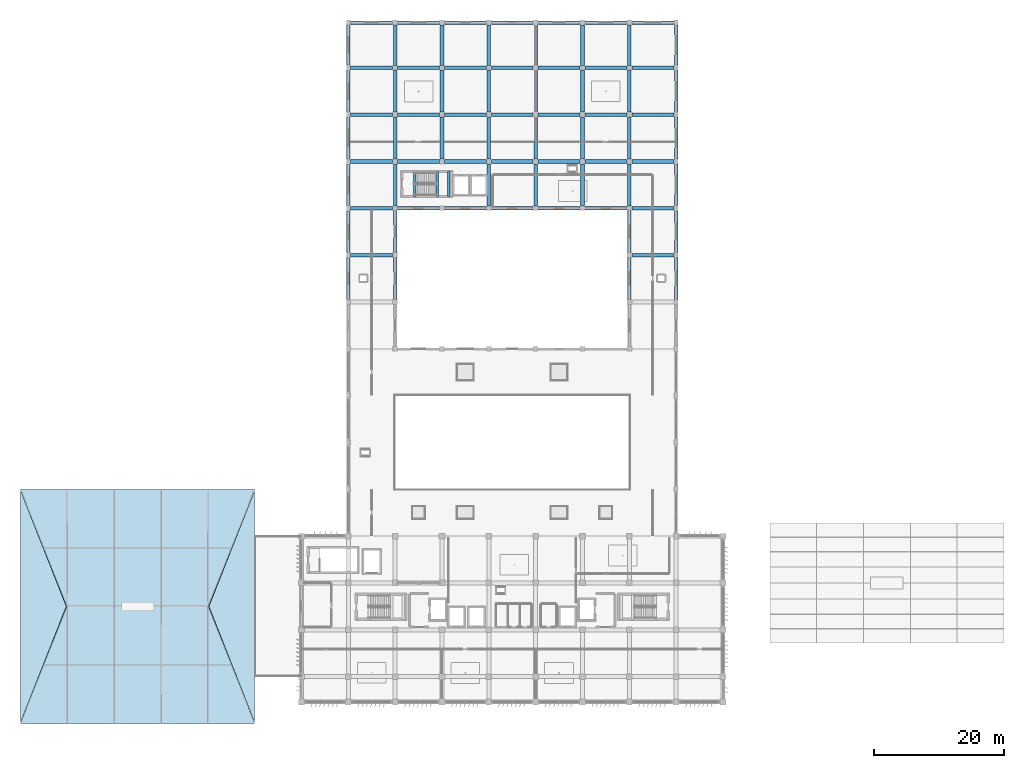
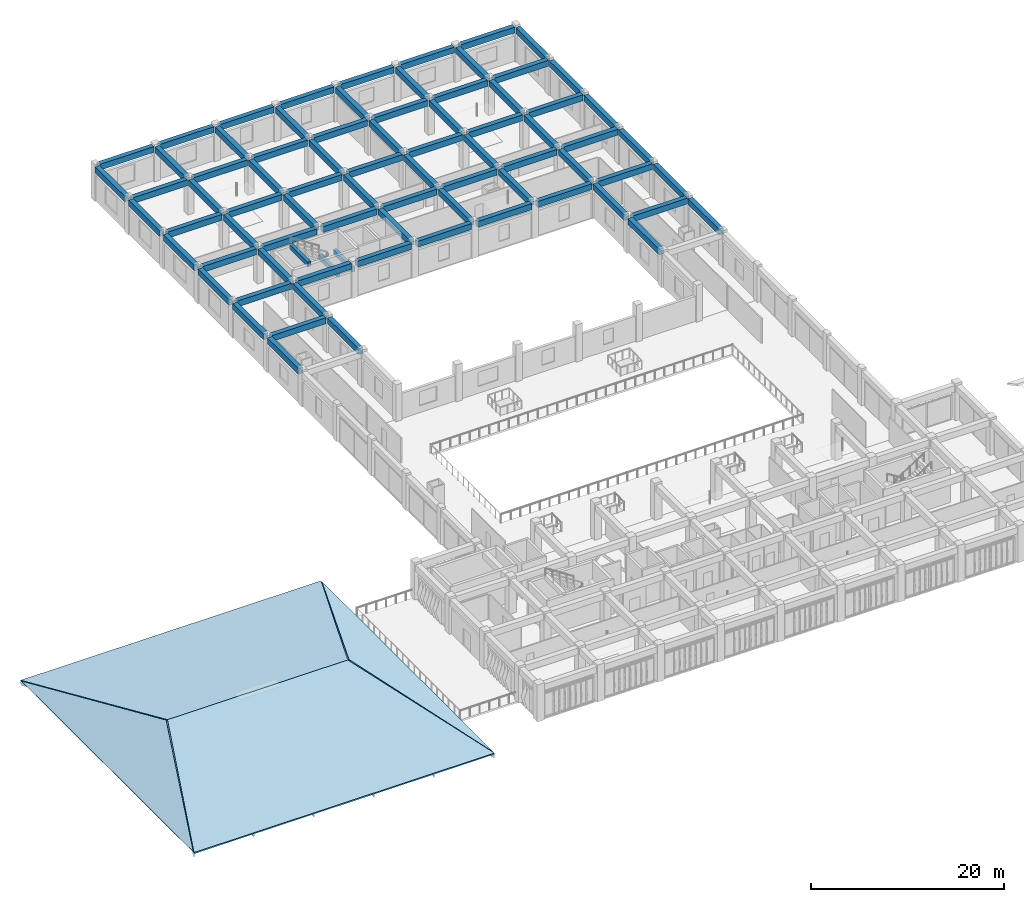
# One storey, part 25 of 55: 79 beams, 4 slabs.
"""IFC4 building model written with IfcOpenShell, lengths in metres."""

import ifcopenshell
import ifcopenshell.guid

model = None  # the IFC model being written
_history = None  # IfcOwnerHistory: only IFC2X3 demands one
_inside = {}  # id of a spatial element -> (the spatial element, [elements in it])
_under = {}  # id of a project, library or spatial element -> (it, [spatial elements below it])
_declared = {}  # id of a project -> (the project, [libraries it declares])
_typed = {}  # id of a type object -> (the type object, [elements of that type])
_made_of = {}  # id of a material, layer set ... -> (it, [elements and type objects made of it])


def new_model(schema):
    """Start an empty IFC model of exactly this schema.

    Asked for "IFC4X3", IfcOpenShell would pick the latest addendum, in which some entities
    have other attributes; the version numbers below select the first issue.
    IFC2X3 requires an IfcOwnerHistory on every rooted entity: one is made here for all.
    """
    global model, _history
    if schema == "IFC4X3":
        model = ifcopenshell.file(schema_version=(4, 3, 0, 0))
    else:
        model = ifcopenshell.file(schema=schema)
    _inside.clear()
    _under.clear()
    _declared.clear()
    _typed.clear()
    _made_of.clear()
    _history = None
    if model.schema == "IFC2X3":
        org = make("IfcOrganization", Name="unknown")
        user = make(
            "IfcPersonAndOrganization",
            ThePerson=make("IfcPerson", FamilyName="unknown"),
            TheOrganization=org,
        )
        app = make(
            "IfcApplication",
            ApplicationDeveloper=org,
            Version="unknown",
            ApplicationFullName="unknown",
            ApplicationIdentifier="unknown",
        )
        _history = make(
            "IfcOwnerHistory",
            OwningUser=user,
            OwningApplication=app,
            ChangeAction="ADDED",
            CreationDate=0,
        )
    return model


def make(cls, **values):
    """One entity of the class cls with the attributes given. An attribute that is None is left unset."""
    return model.create_entity(
        cls, **{name: value for name, value in values.items() if value is not None}
    )


def rooted(cls, **values):
    """An entity with a GlobalId (a new one), such as an element, a storey or a relation."""
    return make(cls, GlobalId=ifcopenshell.guid.new(), OwnerHistory=_history, **values)


def si_unit(unit_type, name, prefix=None):
    """IfcSIUnit, for example si_unit("LENGTHUNIT", "METRE", prefix="MILLI")."""
    return make("IfcSIUnit", UnitType=unit_type, Prefix=prefix, Name=name)


def assignment(units):
    """IfcUnitAssignment: the units of a project."""
    return None if units is None else make("IfcUnitAssignment", Units=units)


def point(xyz):
    """IfcCartesianPoint."""
    return None if xyz is None else make("IfcCartesianPoint", Coordinates=xyz)


def direction(xyz):
    """IfcDirection."""
    return None if xyz is None else make("IfcDirection", DirectionRatios=xyz)


def frame(location, z_axis=None, x_axis=None):
    """IfcAxis2Placement3D, a coordinate frame: its origin and axes. An axis left out is left unset."""
    return make(
        "IfcAxis2Placement3D",
        Location=point(location),
        Axis=direction(z_axis),
        RefDirection=direction(x_axis),
    )


def frame_2d(location, x_axis=None):
    """IfcAxis2Placement2D, a coordinate frame in the plane: its origin and x axis."""
    return make(
        "IfcAxis2Placement2D", Location=point(location), RefDirection=direction(x_axis)
    )


def origin():
    """The frame at (0, 0, 0) with its axes left unset."""
    return frame((0.0, 0.0, 0.0))


def origin_2d():
    """The frame at (0, 0) in the plane with its x axis left unset."""
    return frame_2d((0.0, 0.0))


def place(relative_to, where):
    """IfcLocalPlacement: puts the frame where relative to a parent placement (None: the world)."""
    return make(
        "IfcLocalPlacement", PlacementRelTo=relative_to, RelativePlacement=where
    )


def context(
    kind, dimensions, precision=None, world=None, true_north=None, identifier=None
):
    """IfcGeometricRepresentationContext, for example the 3D "Model" context."""
    return make(
        "IfcGeometricRepresentationContext",
        ContextIdentifier=identifier,
        ContextType=kind,
        CoordinateSpaceDimension=dimensions,
        Precision=precision,
        WorldCoordinateSystem=world,
        TrueNorth=true_north,
    )


def subcontext(parent, identifier, kind, view, scale=None):
    """IfcGeometricRepresentationSubContext, for example "Body" below "Model"."""
    return make(
        "IfcGeometricRepresentationSubContext",
        ContextIdentifier=identifier,
        ContextType=kind,
        ParentContext=parent,
        TargetScale=scale,
        TargetView=view,
    )


def project(units=None, contexts=None):
    """IfcProject with its units and contexts."""
    return rooted(
        "IfcProject",
        Name="project",
        RepresentationContexts=contexts,
        UnitsInContext=assignment(units),
    )


def spatial(cls, under=None, at=None, **own):
    """A site, building, storey or space (cls), placed at a placement, below another one or the project."""
    s = rooted(cls, ObjectPlacement=at, **own)
    if under is not None:
        _under.setdefault(under.id(), (under, []))[1].append(s)
    return s


def polyline(points):
    """IfcPolyline through the points."""
    return make("IfcPolyline", Points=[point(p) for p in points])


def profile(cls, at=None, kind="AREA", **sizes):
    """A parametric profile (cls). Its sizes go by their IFC names, for example OverallWidth=200.0."""
    return make(cls, ProfileType=kind, Position=at, **sizes)


def rectangle(**sizes):
    """IfcRectangleProfileDef."""
    return profile("IfcRectangleProfileDef", **sizes)


def outline(outer, holes=None, kind="AREA"):
    """IfcArbitraryClosedProfileDef: a profile drawn as a closed curve; with holes, ...WithVoids."""
    if holes is None:
        return make("IfcArbitraryClosedProfileDef", ProfileType=kind, OuterCurve=outer)
    return make(
        "IfcArbitraryProfileDefWithVoids",
        ProfileType=kind,
        OuterCurve=outer,
        InnerCurves=holes,
    )


def extrude(swept, where, along, depth):
    """IfcExtrudedAreaSolid: the profile swept, set in the frame where, extruded along a direction by depth."""
    return make(
        "IfcExtrudedAreaSolid",
        SweptArea=swept,
        Position=where,
        ExtrudedDirection=direction(along),
        Depth=depth,
    )


def shape(context_of_items, identifier, shape_type, items):
    """IfcShapeRepresentation: the items that make up one representation, for example the "Body"."""
    return make(
        "IfcShapeRepresentation",
        ContextOfItems=context_of_items,
        RepresentationIdentifier=identifier,
        RepresentationType=shape_type,
        Items=items,
    )


def material(Name=None, Category=None):
    """IfcMaterial."""
    return make("IfcMaterial", Name=Name, Category=Category)


def layer(
    of_material, thickness, ventilated=None, Name=None, Category=None, Priority=None
):
    """IfcMaterialLayer: one layer of a wall or slab, of a material (None: an air gap)."""
    return make(
        "IfcMaterialLayer",
        Material=of_material,
        LayerThickness=thickness,
        IsVentilated=ventilated,
        Name=Name,
        Category=Category,
        Priority=Priority,
    )


def layer_set(layers, Name=None):
    """IfcMaterialLayerSet."""
    return make("IfcMaterialLayerSet", MaterialLayers=layers, LayerSetName=Name)


def material_profile(
    of_material, cross_section, Name=None, Category=None, Priority=None
):
    """IfcMaterialProfile: a cross section and its material."""
    return make(
        "IfcMaterialProfile",
        Name=Name,
        Material=of_material,
        Profile=cross_section,
        Priority=Priority,
        Category=Category,
    )


def profile_set(profiles, Name=None, composite=None):
    """IfcMaterialProfileSet."""
    return make(
        "IfcMaterialProfileSet",
        Name=Name,
        MaterialProfiles=profiles,
        CompositeProfile=composite,
    )


def made_of(thing, what):
    """Note that an element or type object is made of a material, layer set ...; save() writes the relation."""
    if what is not None:
        _made_of.setdefault(what.id(), (what, []))[1].append(thing)
    return thing


def type_object(cls, material=None, **own):
    """A type object (cls), such as IfcWallType, which elements share."""
    return made_of(rooted(cls, **own), material)


def element(
    cls,
    number,
    at=None,
    inside=None,
    cuts=None,
    type_object=None,
    material=None,
    context=None,
    identifier="Body",
    shape_type=None,
    held_by="IfcProductDefinitionShape",
    body=None,
    shapes=None,
    **own,
):
    """One element of the class cls, such as IfcWall. Its Tag is "e" and its number.

    at: its placement. inside: the storey or other place that contains it. cuts: it is an
    opening in that element (IfcRelVoidsElement). A single representation is given by context,
    identifier, shape_type and body (its items); several are given by shapes. held_by: the class
    of the entity that holds the representations. save() writes the other relations.
    """
    e = rooted(cls, Tag="e%d" % number, ObjectPlacement=at, **own)
    if body is not None:
        shapes = [shape(context, identifier, shape_type, body)]
    if shapes is not None:
        e.Representation = make(held_by, Representations=shapes)
    if inside is not None:
        _inside.setdefault(inside.id(), (inside, []))[1].append(e)
    if cuts is not None:
        rooted(
            "IfcRelVoidsElement", RelatingBuildingElement=cuts, RelatedOpeningElement=e
        )
    if type_object is not None:
        _typed.setdefault(type_object.id(), (type_object, []))[1].append(e)
    return made_of(e, material)


def aggregate(whole, parts):
    """IfcRelAggregates: a whole, such as a stair, and the parts it consists of."""
    return rooted("IfcRelAggregates", RelatingObject=whole, RelatedObjects=parts)


def save(model, path):
    """Write the relations noted so far, then the file.

    IfcRelAggregates (storeys below a building ...), IfcRelContainedInSpatialStructure (elements
    in a storey), IfcRelDefinesByType, IfcRelAssociatesMaterial and IfcRelDeclares: one each for
    every whole, place, type object, material and project.
    """
    for whole, parts in _under.values():
        aggregate(whole, parts)
    for where, things in _inside.values():
        rooted(
            "IfcRelContainedInSpatialStructure",
            RelatedElements=things,
            RelatingStructure=where,
        )
    for kind, things in _typed.values():
        rooted("IfcRelDefinesByType", RelatedObjects=things, RelatingType=kind)
    for what, things in _made_of.values():
        rooted("IfcRelAssociatesMaterial", RelatedObjects=things, RelatingMaterial=what)
    for by, libraries in _declared.values():
        rooted("IfcRelDeclares", RelatingContext=by, RelatedDefinitions=libraries)
    model.write(path)


model = new_model("IFC4")

# Units and contexts
model_context = context("Model", 3, precision=1e-05, world=origin(), true_north=direction((0.0, 1.0)))
body_context = subcontext(model_context, "Body", "Model", "MODEL_VIEW")
ifc_project = project(units=[si_unit("LENGTHUNIT", "METRE"), si_unit("AREAUNIT", "SQUARE_METRE"), si_unit("VOLUMEUNIT", "CUBIC_METRE"), si_unit("PLANEANGLEUNIT", "RADIAN"), si_unit("MASSUNIT", "GRAM", prefix="KILO")], contexts=[model_context])

# Site, building, storey
site_placement = place(None, origin())
site = spatial("IfcSite", under=ifc_project, at=site_placement, CompositionType="ELEMENT")
building_placement = place(site_placement, origin())
building = spatial("IfcBuilding", under=site, at=building_placement, Name="Kazehaya Institute of Natural Sciences", CompositionType="ELEMENT")
storey_placement = place(building_placement, frame((0.0, 0.0, 15.1201171875)))
storey = spatial("IfcBuildingStorey", under=building, at=storey_placement, Name="L03", CompositionType="ELEMENT", Elevation=15.1201171875)

# Beams
ifc_material = material(Name="Concrete Fc36", Category="concrete")
ifc_material_profile_1 = material_profile(ifc_material, rectangle(XDim=0.39990234375, YDim=0.60009765625, at=origin_2d()), Name="RC-400x600")
ifc_profile_set_1 = profile_set([ifc_material_profile_1], Name="Concrete Fc36")
beam_type_1 = type_object("IfcBeamType", Name="BM-B-400x600", PredefinedType="BEAM", material=ifc_profile_set_1)
for number, where, z_axis, x_axis, name in (
    (1, (72.0, 87.820068359375, 4.3798828125), (0.0, 1.0, 0.0), (-1.0, 0.0, 0.0), "L04 ST-3 stair header trimmer beam"),
    (2, (75.469970703125, 87.820068359375, 1.8798828125), (0.0, 1.0, 0.0), (-1.0, 0.0, 0.0), "L03 ST-3 landing beam 1"),
    (3, (77.25, 87.820068359375, 1.8798828125), (0.0, 1.0, 0.0), (-1.0, 0.0, 0.0), "L03 ST-3 landing beam 2"),
):
    element("IfcBeam", number, at=place(storey_placement, frame(where, z_axis=z_axis, x_axis=x_axis)), inside=storey, type_object=beam_type_1, Name=name, PredefinedType="BEAM", context=body_context, shape_type="SweptSolid", body=[
        extrude(rectangle(XDim=0.39990234375, YDim=0.60009765625, at=origin_2d()), origin(), (0.0, 0.0, 1.0), 3.83984375),
    ])
ifc_material_profile_2 = material_profile(ifc_material, rectangle(XDim=0.550048828125, YDim=0.75, at=origin_2d()), Name="RC-550x750")
ifc_profile_set_2 = profile_set([ifc_material_profile_2], Name="Concrete Fc36")
beam_type_2 = type_object("IfcBeamType", Name="BM-G-550x750", PredefinedType="BEAM", material=ifc_profile_set_2)
for number, where, z_axis, x_axis, name in (
    (4, (62.10009765625, 78.800048828125, 4.034912109375), (1.0, 0.0, 0.0), (0.0, 1.0, 0.0), "L03 primary X girder BMX-L03-618-788"),
    (5, (105.375, 78.800048828125, 4.034912109375), (1.0, 0.0, 0.0), (0.0, 1.0, 0.0), "L03 primary X girder BMX-L03-1050-788"),
    (6, (62.10009765625, 86.0, 4.034912109375), (1.0, 0.0, 0.0), (0.0, 1.0, 0.0), "L03 primary X girder BMX-L03-618-860"),
):
    element("IfcBeam", number, at=place(storey_placement, frame(where, z_axis=z_axis, x_axis=x_axis)), inside=storey, type_object=beam_type_2, Name=name, PredefinedType="BEAM", context=body_context, shape_type="SweptSolid", body=[
        extrude(rectangle(XDim=0.550048828125, YDim=0.75, at=origin_2d()), origin(), (0.0, 0.0, 1.0), 6.52490234375),
    ])
for number, where, z_axis, x_axis, name in (
    (7, (69.375, 86.0, 4.034912109375), (1.0, 0.0, 0.0), (0.0, 1.0, 0.0), "L03 primary X girder BMX-L03-690-860"),
    (8, (76.574951171875, 86.0, 4.034912109375), (1.0, 0.0, 0.0), (0.0, 1.0, 0.0), "L03 primary X girder BMX-L03-762-860"),
):
    element("IfcBeam", number, at=place(storey_placement, frame(where, z_axis=z_axis, x_axis=x_axis)), inside=storey, type_object=beam_type_2, Name=name, PredefinedType="BEAM", context=body_context, shape_type="SweptSolid", body=[
        extrude(rectangle(XDim=0.550048828125, YDim=0.75, at=origin_2d()), origin(), (0.0, 0.0, 1.0), 6.449951171875),
    ])
beam_1_placement = place(storey_placement, frame((83.77490234375, 86.0, 4.034912109375), z_axis=(1.0, 0.0, 0.0), x_axis=(0.0, 1.0, 0.0)))
element("IfcBeam", 9, at=beam_1_placement, inside=storey, type_object=beam_type_2, Name="L03 primary X girder BMX-L03-834-860", PredefinedType="BEAM", context=body_context, shape_type="SweptSolid", body=[
    extrude(rectangle(XDim=0.550048828125, YDim=0.75, at=origin_2d()), origin(), (0.0, 0.0, 1.0), 6.4501953125),
])
for number, where, z_axis, x_axis, name in (
    (10, (90.97509765625, 86.0, 4.034912109375), (1.0, 0.0, 0.0), (0.0, 1.0, 0.0), "L03 primary X girder BMX-L03-906-860"),
    (11, (98.175048828125, 86.0, 4.034912109375), (1.0, 0.0, 0.0), (0.0, 1.0, 0.0), "L03 primary X girder BMX-L03-978-860"),
):
    element("IfcBeam", number, at=place(storey_placement, frame(where, z_axis=z_axis, x_axis=x_axis)), inside=storey, type_object=beam_type_2, Name=name, PredefinedType="BEAM", context=body_context, shape_type="SweptSolid", body=[
        extrude(rectangle(XDim=0.550048828125, YDim=0.75, at=origin_2d()), origin(), (0.0, 0.0, 1.0), 6.449951171875),
    ])
for number, where, z_axis, x_axis, name in (
    (12, (105.375, 86.0, 4.034912109375), (1.0, 0.0, 0.0), (0.0, 1.0, 0.0), "L03 primary X girder BMX-L03-1050-860"),
    (13, (62.10009765625, 93.199951171875, 4.034912109375), (1.0, 0.0, 0.0), (0.0, 1.0, 0.0), "L03 primary X girder BMX-L03-618-932"),
):
    element("IfcBeam", number, at=place(storey_placement, frame(where, z_axis=z_axis, x_axis=x_axis)), inside=storey, type_object=beam_type_2, Name=name, PredefinedType="BEAM", context=body_context, shape_type="SweptSolid", body=[
        extrude(rectangle(XDim=0.550048828125, YDim=0.75, at=origin_2d()), origin(), (0.0, 0.0, 1.0), 6.52490234375),
    ])
for number, where, z_axis, x_axis, name in (
    (14, (69.375, 93.199951171875, 4.034912109375), (1.0, 0.0, 0.0), (0.0, 1.0, 0.0), "L03 primary X girder BMX-L03-690-932"),
    (15, (76.574951171875, 93.199951171875, 4.034912109375), (1.0, 0.0, 0.0), (0.0, 1.0, 0.0), "L03 primary X girder BMX-L03-762-932"),
):
    element("IfcBeam", number, at=place(storey_placement, frame(where, z_axis=z_axis, x_axis=x_axis)), inside=storey, type_object=beam_type_2, Name=name, PredefinedType="BEAM", context=body_context, shape_type="SweptSolid", body=[
        extrude(rectangle(XDim=0.550048828125, YDim=0.75, at=origin_2d()), origin(), (0.0, 0.0, 1.0), 6.449951171875),
    ])
beam_2_placement = place(storey_placement, frame((83.77490234375, 93.199951171875, 4.034912109375), z_axis=(1.0, 0.0, 0.0), x_axis=(0.0, 1.0, 0.0)))
element("IfcBeam", 16, at=beam_2_placement, inside=storey, type_object=beam_type_2, Name="L03 primary X girder BMX-L03-834-932", PredefinedType="BEAM", context=body_context, shape_type="SweptSolid", body=[
    extrude(rectangle(XDim=0.550048828125, YDim=0.75, at=origin_2d()), origin(), (0.0, 0.0, 1.0), 6.4501953125),
])
for number, where, z_axis, x_axis, name in (
    (17, (90.97509765625, 93.199951171875, 4.034912109375), (1.0, 0.0, 0.0), (0.0, 1.0, 0.0), "L03 primary X girder BMX-L03-906-932"),
    (18, (98.175048828125, 93.199951171875, 4.034912109375), (1.0, 0.0, 0.0), (0.0, 1.0, 0.0), "L03 primary X girder BMX-L03-978-932"),
):
    element("IfcBeam", number, at=place(storey_placement, frame(where, z_axis=z_axis, x_axis=x_axis)), inside=storey, type_object=beam_type_2, Name=name, PredefinedType="BEAM", context=body_context, shape_type="SweptSolid", body=[
        extrude(rectangle(XDim=0.550048828125, YDim=0.75, at=origin_2d()), origin(), (0.0, 0.0, 1.0), 6.449951171875),
    ])
for number, where, z_axis, x_axis, name in (
    (19, (105.375, 93.199951171875, 4.034912109375), (1.0, 0.0, 0.0), (0.0, 1.0, 0.0), "L03 primary X girder BMX-L03-1050-932"),
    (20, (62.10009765625, 100.39990234375, 4.034912109375), (1.0, 0.0, 0.0), (0.0, 1.0, 0.0), "L03 primary X girder BMX-L03-618-1004"),
):
    element("IfcBeam", number, at=place(storey_placement, frame(where, z_axis=z_axis, x_axis=x_axis)), inside=storey, type_object=beam_type_2, Name=name, PredefinedType="BEAM", context=body_context, shape_type="SweptSolid", body=[
        extrude(rectangle(XDim=0.550048828125, YDim=0.75, at=origin_2d()), origin(), (0.0, 0.0, 1.0), 6.52490234375),
    ])
for number, where, z_axis, x_axis, name in (
    (21, (69.375, 100.39990234375, 4.034912109375), (1.0, 0.0, 0.0), (0.0, 1.0, 0.0), "L03 primary X girder BMX-L03-690-1004"),
    (22, (76.574951171875, 100.39990234375, 4.034912109375), (1.0, 0.0, 0.0), (0.0, 1.0, 0.0), "L03 primary X girder BMX-L03-762-1004"),
):
    element("IfcBeam", number, at=place(storey_placement, frame(where, z_axis=z_axis, x_axis=x_axis)), inside=storey, type_object=beam_type_2, Name=name, PredefinedType="BEAM", context=body_context, shape_type="SweptSolid", body=[
        extrude(rectangle(XDim=0.550048828125, YDim=0.75, at=origin_2d()), origin(), (0.0, 0.0, 1.0), 6.449951171875),
    ])
beam_3_placement = place(storey_placement, frame((83.77490234375, 100.39990234375, 4.034912109375), z_axis=(1.0, 0.0, 0.0), x_axis=(0.0, 1.0, 0.0)))
element("IfcBeam", 23, at=beam_3_placement, inside=storey, type_object=beam_type_2, Name="L03 primary X girder BMX-L03-834-1004", PredefinedType="BEAM", context=body_context, shape_type="SweptSolid", body=[
    extrude(rectangle(XDim=0.550048828125, YDim=0.75, at=origin_2d()), origin(), (0.0, 0.0, 1.0), 6.4501953125),
])
for number, where, z_axis, x_axis, name in (
    (24, (90.97509765625, 100.39990234375, 4.034912109375), (1.0, 0.0, 0.0), (0.0, 1.0, 0.0), "L03 primary X girder BMX-L03-906-1004"),
    (25, (98.175048828125, 100.39990234375, 4.034912109375), (1.0, 0.0, 0.0), (0.0, 1.0, 0.0), "L03 primary X girder BMX-L03-978-1004"),
):
    element("IfcBeam", number, at=place(storey_placement, frame(where, z_axis=z_axis, x_axis=x_axis)), inside=storey, type_object=beam_type_2, Name=name, PredefinedType="BEAM", context=body_context, shape_type="SweptSolid", body=[
        extrude(rectangle(XDim=0.550048828125, YDim=0.75, at=origin_2d()), origin(), (0.0, 0.0, 1.0), 6.449951171875),
    ])
for number, where, z_axis, x_axis, name in (
    (26, (105.375, 100.39990234375, 4.034912109375), (1.0, 0.0, 0.0), (0.0, 1.0, 0.0), "L03 primary X girder BMX-L03-1050-1004"),
    (27, (62.10009765625, 107.60009765625, 4.034912109375), (1.0, 0.0, 0.0), (0.0, 1.0, 0.0), "L03 primary X girder BMX-L03-618-1076"),
):
    element("IfcBeam", number, at=place(storey_placement, frame(where, z_axis=z_axis, x_axis=x_axis)), inside=storey, type_object=beam_type_2, Name=name, PredefinedType="BEAM", context=body_context, shape_type="SweptSolid", body=[
        extrude(rectangle(XDim=0.550048828125, YDim=0.75, at=origin_2d()), origin(), (0.0, 0.0, 1.0), 6.52490234375),
    ])
for number, where, z_axis, x_axis, name in (
    (28, (69.375, 107.60009765625, 4.034912109375), (1.0, 0.0, 0.0), (0.0, 1.0, 0.0), "L03 primary X girder BMX-L03-690-1076"),
    (29, (76.574951171875, 107.60009765625, 4.034912109375), (1.0, 0.0, 0.0), (0.0, 1.0, 0.0), "L03 primary X girder BMX-L03-762-1076"),
):
    element("IfcBeam", number, at=place(storey_placement, frame(where, z_axis=z_axis, x_axis=x_axis)), inside=storey, type_object=beam_type_2, Name=name, PredefinedType="BEAM", context=body_context, shape_type="SweptSolid", body=[
        extrude(rectangle(XDim=0.550048828125, YDim=0.75, at=origin_2d()), origin(), (0.0, 0.0, 1.0), 6.449951171875),
    ])
beam_4_placement = place(storey_placement, frame((83.77490234375, 107.60009765625, 4.034912109375), z_axis=(1.0, 0.0, 0.0), x_axis=(0.0, 1.0, 0.0)))
element("IfcBeam", 30, at=beam_4_placement, inside=storey, type_object=beam_type_2, Name="L03 primary X girder BMX-L03-834-1076", PredefinedType="BEAM", context=body_context, shape_type="SweptSolid", body=[
    extrude(rectangle(XDim=0.550048828125, YDim=0.75, at=origin_2d()), origin(), (0.0, 0.0, 1.0), 6.4501953125),
])
for number, where, z_axis, x_axis, name in (
    (31, (90.97509765625, 107.60009765625, 4.034912109375), (1.0, 0.0, 0.0), (0.0, 1.0, 0.0), "L03 primary X girder BMX-L03-906-1076"),
    (32, (98.175048828125, 107.60009765625, 4.034912109375), (1.0, 0.0, 0.0), (0.0, 1.0, 0.0), "L03 primary X girder BMX-L03-978-1076"),
):
    element("IfcBeam", number, at=place(storey_placement, frame(where, z_axis=z_axis, x_axis=x_axis)), inside=storey, type_object=beam_type_2, Name=name, PredefinedType="BEAM", context=body_context, shape_type="SweptSolid", body=[
        extrude(rectangle(XDim=0.550048828125, YDim=0.75, at=origin_2d()), origin(), (0.0, 0.0, 1.0), 6.449951171875),
    ])
for number, where, z_axis, x_axis, name in (
    (33, (105.375, 107.60009765625, 4.034912109375), (1.0, 0.0, 0.0), (0.0, 1.0, 0.0), "L03 primary X girder BMX-L03-1050-1076"),
    (34, (62.10009765625, 114.550048828125, 4.034912109375), (1.0, 0.0, 0.0), (0.0, 1.0, 0.0), "L03 primary X girder BMX-L03-618-1146"),
):
    element("IfcBeam", number, at=place(storey_placement, frame(where, z_axis=z_axis, x_axis=x_axis)), inside=storey, type_object=beam_type_2, Name=name, PredefinedType="BEAM", context=body_context, shape_type="SweptSolid", body=[
        extrude(rectangle(XDim=0.550048828125, YDim=0.75, at=origin_2d()), origin(), (0.0, 0.0, 1.0), 6.52490234375),
    ])
for number, where, z_axis, x_axis, name in (
    (35, (69.375, 114.550048828125, 4.034912109375), (1.0, 0.0, 0.0), (0.0, 1.0, 0.0), "L03 primary X girder BMX-L03-690-1146"),
    (36, (76.574951171875, 114.550048828125, 4.034912109375), (1.0, 0.0, 0.0), (0.0, 1.0, 0.0), "L03 primary X girder BMX-L03-762-1146"),
):
    element("IfcBeam", number, at=place(storey_placement, frame(where, z_axis=z_axis, x_axis=x_axis)), inside=storey, type_object=beam_type_2, Name=name, PredefinedType="BEAM", context=body_context, shape_type="SweptSolid", body=[
        extrude(rectangle(XDim=0.550048828125, YDim=0.75, at=origin_2d()), origin(), (0.0, 0.0, 1.0), 6.449951171875),
    ])
beam_5_placement = place(storey_placement, frame((83.77490234375, 114.550048828125, 4.034912109375), z_axis=(1.0, 0.0, 0.0), x_axis=(0.0, 1.0, 0.0)))
element("IfcBeam", 37, at=beam_5_placement, inside=storey, type_object=beam_type_2, Name="L03 primary X girder BMX-L03-834-1146", PredefinedType="BEAM", context=body_context, shape_type="SweptSolid", body=[
    extrude(rectangle(XDim=0.550048828125, YDim=0.75, at=origin_2d()), origin(), (0.0, 0.0, 1.0), 6.4501953125),
])
for number, where, z_axis, x_axis, name in (
    (38, (90.97509765625, 114.550048828125, 4.034912109375), (1.0, 0.0, 0.0), (0.0, 1.0, 0.0), "L03 primary X girder BMX-L03-906-1146"),
    (39, (98.175048828125, 114.550048828125, 4.034912109375), (1.0, 0.0, 0.0), (0.0, 1.0, 0.0), "L03 primary X girder BMX-L03-978-1146"),
):
    element("IfcBeam", number, at=place(storey_placement, frame(where, z_axis=z_axis, x_axis=x_axis)), inside=storey, type_object=beam_type_2, Name=name, PredefinedType="BEAM", context=body_context, shape_type="SweptSolid", body=[
        extrude(rectangle(XDim=0.550048828125, YDim=0.75, at=origin_2d()), origin(), (0.0, 0.0, 1.0), 6.449951171875),
    ])
beam_6_placement = place(storey_placement, frame((105.375, 114.550048828125, 4.034912109375), z_axis=(1.0, 0.0, 0.0), x_axis=(0.0, 1.0, 0.0)))
element("IfcBeam", 40, at=beam_6_placement, inside=storey, type_object=beam_type_2, Name="L03 primary X girder BMX-L03-1050-1146", PredefinedType="BEAM", context=body_context, shape_type="SweptSolid", body=[
    extrude(rectangle(XDim=0.550048828125, YDim=0.75, at=origin_2d()), origin(), (0.0, 0.0, 1.0), 6.52490234375),
])
beam_7_placement = place(storey_placement, frame((61.800048828125, 72.0, 4.034912109375), z_axis=(0.0, 1.0, 0.0), x_axis=(-1.0, 0.0, 0.0)))
element("IfcBeam", 41, at=beam_7_placement, inside=storey, type_object=beam_type_2, Name="L03 primary Y girder BMY-L03-618-716", PredefinedType="BEAM", context=body_context, shape_type="SweptSolid", body=[
    extrude(rectangle(XDim=0.550048828125, YDim=0.75, at=origin_2d()), origin(), (0.0, 0.0, 1.0), 6.39990234375),
])
for number, where, z_axis, x_axis, name in (
    (42, (61.800048828125, 79.199951171875, 4.034912109375), (0.0, 1.0, 0.0), (-1.0, 0.0, 0.0), "L03 primary Y girder BMY-L03-618-788"),
    (43, (61.800048828125, 86.39990234375, 4.034912109375), (0.0, 1.0, 0.0), (-1.0, 0.0, 0.0), "L03 primary Y girder BMY-L03-618-860"),
):
    element("IfcBeam", number, at=place(storey_placement, frame(where, z_axis=z_axis, x_axis=x_axis)), inside=storey, type_object=beam_type_2, Name=name, PredefinedType="BEAM", context=body_context, shape_type="SweptSolid", body=[
        extrude(rectangle(XDim=0.550048828125, YDim=0.75, at=origin_2d()), origin(), (0.0, 0.0, 1.0), 6.400146484375),
    ])
for number, where, z_axis, x_axis, name in (
    (44, (61.800048828125, 93.60009765625, 4.034912109375), (0.0, 1.0, 0.0), (-1.0, 0.0, 0.0), "L03 primary Y girder BMY-L03-618-932"),
    (45, (61.800048828125, 100.800048828125, 4.034912109375), (0.0, 1.0, 0.0), (-1.0, 0.0, 0.0), "L03 primary Y girder BMY-L03-618-1004"),
):
    element("IfcBeam", number, at=place(storey_placement, frame(where, z_axis=z_axis, x_axis=x_axis)), inside=storey, type_object=beam_type_2, Name=name, PredefinedType="BEAM", context=body_context, shape_type="SweptSolid", body=[
        extrude(rectangle(XDim=0.550048828125, YDim=0.75, at=origin_2d()), origin(), (0.0, 0.0, 1.0), 6.39990234375),
    ])
beam_8_placement = place(storey_placement, frame((61.800048828125, 108.0, 4.034912109375), z_axis=(0.0, 1.0, 0.0), x_axis=(-1.0, 0.0, 0.0)))
element("IfcBeam", 46, at=beam_8_placement, inside=storey, type_object=beam_type_2, Name="L03 primary Y girder BMY-L03-618-1076", PredefinedType="BEAM", context=body_context, shape_type="SweptSolid", body=[
    extrude(rectangle(XDim=0.550048828125, YDim=0.75, at=origin_2d()), origin(), (0.0, 0.0, 1.0), 6.14990234375),
])
for number, where, z_axis, x_axis, name in (
    (47, (69.0, 71.97509765625, 4.034912109375), (0.0, 1.0, 0.0), (-1.0, 0.0, 0.0), "L03 primary Y girder BMY-L03-690-716"),
    (48, (69.0, 79.175048828125, 4.034912109375), (0.0, 1.0, 0.0), (-1.0, 0.0, 0.0), "L03 primary Y girder BMY-L03-690-788"),
    (49, (69.0, 86.375, 4.034912109375), (0.0, 1.0, 0.0), (-1.0, 0.0, 0.0), "L03 primary Y girder BMY-L03-690-860"),
    (50, (69.0, 93.574951171875, 4.034912109375), (0.0, 1.0, 0.0), (-1.0, 0.0, 0.0), "L03 primary Y girder BMY-L03-690-932"),
):
    element("IfcBeam", number, at=place(storey_placement, frame(where, z_axis=z_axis, x_axis=x_axis)), inside=storey, type_object=beam_type_2, Name=name, PredefinedType="BEAM", context=body_context, shape_type="SweptSolid", body=[
        extrude(rectangle(XDim=0.550048828125, YDim=0.75, at=origin_2d()), origin(), (0.0, 0.0, 1.0), 6.449951171875),
    ])
beam_9_placement = place(storey_placement, frame((69.0, 100.77490234375, 4.034912109375), z_axis=(0.0, 1.0, 0.0), x_axis=(-1.0, 0.0, 0.0)))
element("IfcBeam", 51, at=beam_9_placement, inside=storey, type_object=beam_type_2, Name="L03 primary Y girder BMY-L03-690-1004", PredefinedType="BEAM", context=body_context, shape_type="SweptSolid", body=[
    extrude(rectangle(XDim=0.550048828125, YDim=0.75, at=origin_2d()), origin(), (0.0, 0.0, 1.0), 6.4501953125),
])
beam_10_placement = place(storey_placement, frame((69.0, 107.97509765625, 4.034912109375), z_axis=(0.0, 1.0, 0.0), x_axis=(-1.0, 0.0, 0.0)))
element("IfcBeam", 52, at=beam_10_placement, inside=storey, type_object=beam_type_2, Name="L03 primary Y girder BMY-L03-690-1076", PredefinedType="BEAM", context=body_context, shape_type="SweptSolid", body=[
    extrude(rectangle(XDim=0.550048828125, YDim=0.75, at=origin_2d()), origin(), (0.0, 0.0, 1.0), 6.199951171875),
])
beam_11_placement = place(storey_placement, frame((76.199951171875, 93.574951171875, 4.034912109375), z_axis=(0.0, 1.0, 0.0), x_axis=(-1.0, 0.0, 0.0)))
element("IfcBeam", 53, at=beam_11_placement, inside=storey, type_object=beam_type_2, Name="L03 primary Y girder BMY-L03-762-932", PredefinedType="BEAM", context=body_context, shape_type="SweptSolid", body=[
    extrude(rectangle(XDim=0.550048828125, YDim=0.75, at=origin_2d()), origin(), (0.0, 0.0, 1.0), 6.449951171875),
])
beam_12_placement = place(storey_placement, frame((76.199951171875, 100.77490234375, 4.034912109375), z_axis=(0.0, 1.0, 0.0), x_axis=(-1.0, 0.0, 0.0)))
element("IfcBeam", 54, at=beam_12_placement, inside=storey, type_object=beam_type_2, Name="L03 primary Y girder BMY-L03-762-1004", PredefinedType="BEAM", context=body_context, shape_type="SweptSolid", body=[
    extrude(rectangle(XDim=0.550048828125, YDim=0.75, at=origin_2d()), origin(), (0.0, 0.0, 1.0), 6.4501953125),
])
beam_13_placement = place(storey_placement, frame((76.199951171875, 107.97509765625, 4.034912109375), z_axis=(0.0, 1.0, 0.0), x_axis=(-1.0, 0.0, 0.0)))
element("IfcBeam", 55, at=beam_13_placement, inside=storey, type_object=beam_type_2, Name="L03 primary Y girder BMY-L03-762-1076", PredefinedType="BEAM", context=body_context, shape_type="SweptSolid", body=[
    extrude(rectangle(XDim=0.550048828125, YDim=0.75, at=origin_2d()), origin(), (0.0, 0.0, 1.0), 6.199951171875),
])
for number, where, z_axis, x_axis, name in (
    (56, (83.39990234375, 86.375, 4.034912109375), (0.0, 1.0, 0.0), (-1.0, 0.0, 0.0), "L03 primary Y girder BMY-L03-834-860"),
    (57, (83.39990234375, 93.574951171875, 4.034912109375), (0.0, 1.0, 0.0), (-1.0, 0.0, 0.0), "L03 primary Y girder BMY-L03-834-932"),
):
    element("IfcBeam", number, at=place(storey_placement, frame(where, z_axis=z_axis, x_axis=x_axis)), inside=storey, type_object=beam_type_2, Name=name, PredefinedType="BEAM", context=body_context, shape_type="SweptSolid", body=[
        extrude(rectangle(XDim=0.550048828125, YDim=0.75, at=origin_2d()), origin(), (0.0, 0.0, 1.0), 6.449951171875),
    ])
beam_14_placement = place(storey_placement, frame((83.39990234375, 100.77490234375, 4.034912109375), z_axis=(0.0, 1.0, 0.0), x_axis=(-1.0, 0.0, 0.0)))
element("IfcBeam", 58, at=beam_14_placement, inside=storey, type_object=beam_type_2, Name="L03 primary Y girder BMY-L03-834-1004", PredefinedType="BEAM", context=body_context, shape_type="SweptSolid", body=[
    extrude(rectangle(XDim=0.550048828125, YDim=0.75, at=origin_2d()), origin(), (0.0, 0.0, 1.0), 6.4501953125),
])
beam_15_placement = place(storey_placement, frame((83.39990234375, 107.97509765625, 4.034912109375), z_axis=(0.0, 1.0, 0.0), x_axis=(-1.0, 0.0, 0.0)))
element("IfcBeam", 59, at=beam_15_placement, inside=storey, type_object=beam_type_2, Name="L03 primary Y girder BMY-L03-834-1076", PredefinedType="BEAM", context=body_context, shape_type="SweptSolid", body=[
    extrude(rectangle(XDim=0.550048828125, YDim=0.75, at=origin_2d()), origin(), (0.0, 0.0, 1.0), 6.199951171875),
])
for number, where, z_axis, x_axis, name in (
    (60, (90.60009765625, 86.375, 4.034912109375), (0.0, 1.0, 0.0), (-1.0, 0.0, 0.0), "L03 primary Y girder BMY-L03-906-860"),
    (61, (90.60009765625, 93.574951171875, 4.034912109375), (0.0, 1.0, 0.0), (-1.0, 0.0, 0.0), "L03 primary Y girder BMY-L03-906-932"),
):
    element("IfcBeam", number, at=place(storey_placement, frame(where, z_axis=z_axis, x_axis=x_axis)), inside=storey, type_object=beam_type_2, Name=name, PredefinedType="BEAM", context=body_context, shape_type="SweptSolid", body=[
        extrude(rectangle(XDim=0.550048828125, YDim=0.75, at=origin_2d()), origin(), (0.0, 0.0, 1.0), 6.449951171875),
    ])
beam_16_placement = place(storey_placement, frame((90.60009765625, 100.77490234375, 4.034912109375), z_axis=(0.0, 1.0, 0.0), x_axis=(-1.0, 0.0, 0.0)))
element("IfcBeam", 62, at=beam_16_placement, inside=storey, type_object=beam_type_2, Name="L03 primary Y girder BMY-L03-906-1004", PredefinedType="BEAM", context=body_context, shape_type="SweptSolid", body=[
    extrude(rectangle(XDim=0.550048828125, YDim=0.75, at=origin_2d()), origin(), (0.0, 0.0, 1.0), 6.4501953125),
])
beam_17_placement = place(storey_placement, frame((90.60009765625, 107.97509765625, 4.034912109375), z_axis=(0.0, 1.0, 0.0), x_axis=(-1.0, 0.0, 0.0)))
element("IfcBeam", 63, at=beam_17_placement, inside=storey, type_object=beam_type_2, Name="L03 primary Y girder BMY-L03-906-1076", PredefinedType="BEAM", context=body_context, shape_type="SweptSolid", body=[
    extrude(rectangle(XDim=0.550048828125, YDim=0.75, at=origin_2d()), origin(), (0.0, 0.0, 1.0), 6.199951171875),
])
for number, where, z_axis, x_axis, name in (
    (64, (97.800048828125, 86.375, 4.034912109375), (0.0, 1.0, 0.0), (-1.0, 0.0, 0.0), "L03 primary Y girder BMY-L03-978-860"),
    (65, (97.800048828125, 93.574951171875, 4.034912109375), (0.0, 1.0, 0.0), (-1.0, 0.0, 0.0), "L03 primary Y girder BMY-L03-978-932"),
):
    element("IfcBeam", number, at=place(storey_placement, frame(where, z_axis=z_axis, x_axis=x_axis)), inside=storey, type_object=beam_type_2, Name=name, PredefinedType="BEAM", context=body_context, shape_type="SweptSolid", body=[
        extrude(rectangle(XDim=0.550048828125, YDim=0.75, at=origin_2d()), origin(), (0.0, 0.0, 1.0), 6.449951171875),
    ])
beam_18_placement = place(storey_placement, frame((97.800048828125, 100.77490234375, 4.034912109375), z_axis=(0.0, 1.0, 0.0), x_axis=(-1.0, 0.0, 0.0)))
element("IfcBeam", 66, at=beam_18_placement, inside=storey, type_object=beam_type_2, Name="L03 primary Y girder BMY-L03-978-1004", PredefinedType="BEAM", context=body_context, shape_type="SweptSolid", body=[
    extrude(rectangle(XDim=0.550048828125, YDim=0.75, at=origin_2d()), origin(), (0.0, 0.0, 1.0), 6.4501953125),
])
beam_19_placement = place(storey_placement, frame((97.800048828125, 107.97509765625, 4.034912109375), z_axis=(0.0, 1.0, 0.0), x_axis=(-1.0, 0.0, 0.0)))
element("IfcBeam", 67, at=beam_19_placement, inside=storey, type_object=beam_type_2, Name="L03 primary Y girder BMY-L03-978-1076", PredefinedType="BEAM", context=body_context, shape_type="SweptSolid", body=[
    extrude(rectangle(XDim=0.550048828125, YDim=0.75, at=origin_2d()), origin(), (0.0, 0.0, 1.0), 6.199951171875),
])
for number, where, z_axis, x_axis, name in (
    (68, (105.0, 71.97509765625, 4.034912109375), (0.0, 1.0, 0.0), (-1.0, 0.0, 0.0), "L03 primary Y girder BMY-L03-1050-716"),
    (69, (105.0, 79.175048828125, 4.034912109375), (0.0, 1.0, 0.0), (-1.0, 0.0, 0.0), "L03 primary Y girder BMY-L03-1050-788"),
    (70, (105.0, 86.375, 4.034912109375), (0.0, 1.0, 0.0), (-1.0, 0.0, 0.0), "L03 primary Y girder BMY-L03-1050-860"),
    (71, (105.0, 93.574951171875, 4.034912109375), (0.0, 1.0, 0.0), (-1.0, 0.0, 0.0), "L03 primary Y girder BMY-L03-1050-932"),
):
    element("IfcBeam", number, at=place(storey_placement, frame(where, z_axis=z_axis, x_axis=x_axis)), inside=storey, type_object=beam_type_2, Name=name, PredefinedType="BEAM", context=body_context, shape_type="SweptSolid", body=[
        extrude(rectangle(XDim=0.550048828125, YDim=0.75, at=origin_2d()), origin(), (0.0, 0.0, 1.0), 6.449951171875),
    ])
beam_20_placement = place(storey_placement, frame((105.0, 100.77490234375, 4.034912109375), z_axis=(0.0, 1.0, 0.0), x_axis=(-1.0, 0.0, 0.0)))
element("IfcBeam", 72, at=beam_20_placement, inside=storey, type_object=beam_type_2, Name="L03 primary Y girder BMY-L03-1050-1004", PredefinedType="BEAM", context=body_context, shape_type="SweptSolid", body=[
    extrude(rectangle(XDim=0.550048828125, YDim=0.75, at=origin_2d()), origin(), (0.0, 0.0, 1.0), 6.4501953125),
])
beam_21_placement = place(storey_placement, frame((105.0, 107.97509765625, 4.034912109375), z_axis=(0.0, 1.0, 0.0), x_axis=(-1.0, 0.0, 0.0)))
element("IfcBeam", 73, at=beam_21_placement, inside=storey, type_object=beam_type_2, Name="L03 primary Y girder BMY-L03-1050-1076", PredefinedType="BEAM", context=body_context, shape_type="SweptSolid", body=[
    extrude(rectangle(XDim=0.550048828125, YDim=0.75, at=origin_2d()), origin(), (0.0, 0.0, 1.0), 6.199951171875),
])
beam_22_placement = place(storey_placement, frame((112.199951171875, 72.0, 4.034912109375), z_axis=(0.0, 1.0, 0.0), x_axis=(-1.0, 0.0, 0.0)))
element("IfcBeam", 74, at=beam_22_placement, inside=storey, type_object=beam_type_2, Name="L03 primary Y girder BMY-L03-1122-716", PredefinedType="BEAM", context=body_context, shape_type="SweptSolid", body=[
    extrude(rectangle(XDim=0.550048828125, YDim=0.75, at=origin_2d()), origin(), (0.0, 0.0, 1.0), 6.39990234375),
])
for number, where, z_axis, x_axis, name in (
    (75, (112.199951171875, 79.199951171875, 4.034912109375), (0.0, 1.0, 0.0), (-1.0, 0.0, 0.0), "L03 primary Y girder BMY-L03-1122-788"),
    (76, (112.199951171875, 86.39990234375, 4.034912109375), (0.0, 1.0, 0.0), (-1.0, 0.0, 0.0), "L03 primary Y girder BMY-L03-1122-860"),
):
    element("IfcBeam", number, at=place(storey_placement, frame(where, z_axis=z_axis, x_axis=x_axis)), inside=storey, type_object=beam_type_2, Name=name, PredefinedType="BEAM", context=body_context, shape_type="SweptSolid", body=[
        extrude(rectangle(XDim=0.550048828125, YDim=0.75, at=origin_2d()), origin(), (0.0, 0.0, 1.0), 6.400146484375),
    ])
for number, where, z_axis, x_axis, name in (
    (77, (112.199951171875, 93.60009765625, 4.034912109375), (0.0, 1.0, 0.0), (-1.0, 0.0, 0.0), "L03 primary Y girder BMY-L03-1122-932"),
    (78, (112.199951171875, 100.800048828125, 4.034912109375), (0.0, 1.0, 0.0), (-1.0, 0.0, 0.0), "L03 primary Y girder BMY-L03-1122-1004"),
):
    element("IfcBeam", number, at=place(storey_placement, frame(where, z_axis=z_axis, x_axis=x_axis)), inside=storey, type_object=beam_type_2, Name=name, PredefinedType="BEAM", context=body_context, shape_type="SweptSolid", body=[
        extrude(rectangle(XDim=0.550048828125, YDim=0.75, at=origin_2d()), origin(), (0.0, 0.0, 1.0), 6.39990234375),
    ])
beam_23_placement = place(storey_placement, frame((112.199951171875, 108.0, 4.034912109375), z_axis=(0.0, 1.0, 0.0), x_axis=(-1.0, 0.0, 0.0)))
element("IfcBeam", 79, at=beam_23_placement, inside=storey, type_object=beam_type_2, Name="L03 primary Y girder BMY-L03-1122-1076", PredefinedType="BEAM", context=body_context, shape_type="SweptSolid", body=[
    extrude(rectangle(XDim=0.550048828125, YDim=0.75, at=origin_2d()), origin(), (0.0, 0.0, 1.0), 6.14990234375),
])

# Slabs
ifc_layer = layer(ifc_material, 0.18994140625, Name="Concrete Fc36", Category="concrete")
ifc_layer_set = layer_set([ifc_layer], Name="Concrete Fc36")
slab_type = type_object("IfcSlabType", Name="SL-ROF-190", PredefinedType="ROOF", material=ifc_layer_set)
slab_1_placement = place(storey_placement, frame((11.39990234375, 6.800048828125, 0.18994140625), z_axis=(0.0, -0.185601627328, 0.982625073939), x_axis=(1.0, 0.0, 0.0)))
element("IfcSlab", 80, at=slab_1_placement, inside=storey, type_object=slab_type, Name="ROOF-VOL3 south pitched roof slab", PredefinedType="ROOF", context=body_context, shape_type="SweptSolid", body=[
    extrude(outline(polyline([(0.0, 0.0), (36.0, 0.0), (28.800048828125, 18.318278738654374), (7.2001953125, 18.318278738654374), (0.0, 0.0)])), origin(), (0.0, 0.0, -1.0), 0.18994140625),
])
slab_2_placement = place(storey_placement, frame((47.39990234375, 42.800048828125, 0.18994140625), z_axis=(0.0, 0.185601627328, 0.982625073939), x_axis=(-1.0, 0.0, 0.0)))
element("IfcSlab", 81, at=slab_2_placement, inside=storey, type_object=slab_type, Name="ROOF-VOL3 north pitched roof slab", PredefinedType="ROOF", context=body_context, shape_type="SweptSolid", body=[
    extrude(outline(polyline([(0.0, 0.0), (36.0, 0.0), (28.7998046875, 18.318278738654374), (7.199951171875, 18.318278738654374), (0.0, 0.0)])), origin(), (0.0, 0.0, -1.0), 0.18994140625),
])
slab_3_placement = place(storey_placement, frame((11.39990234375, 42.639892578125, 0.18994140625), z_axis=(-0.434880055894, 0.0, 0.900488388035), x_axis=(0.0, -1.0, 0.0)))
element("IfcSlab", 82, at=slab_3_placement, inside=storey, type_object=slab_type, Name="ROOF-VOL3 west hip pitched roof slab", PredefinedType="ROOF", context=body_context, shape_type="SweptSolid", body=[
    extrude(outline(polyline([(0.0, 0.0), (35.679931640625, 0.0), (17.83984375, 7.8180231483772555), (0.0, 0.0)])), origin(), (0.0, 0.0, -1.0), 0.18994140625),
])
slab_4_placement = place(storey_placement, frame((47.39990234375, 6.9599609375, 0.18994140625), z_axis=(0.434892285192, 0.0, 0.90048248194), x_axis=(0.0, 1.0, 0.0)))
element("IfcSlab", 83, at=slab_4_placement, inside=storey, type_object=slab_type, Name="ROOF-VOL3 east hip pitched roof slab", PredefinedType="ROOF", context=body_context, shape_type="SweptSolid", body=[
    extrude(outline(polyline([(0.0, 0.0), (35.679931640625, 0.0), (17.840087890625, 7.817803303300344), (0.0, 0.0)])), origin(), (0.0, 0.0, -1.0), 0.18994140625),
])

save(model, "model.ifc")
